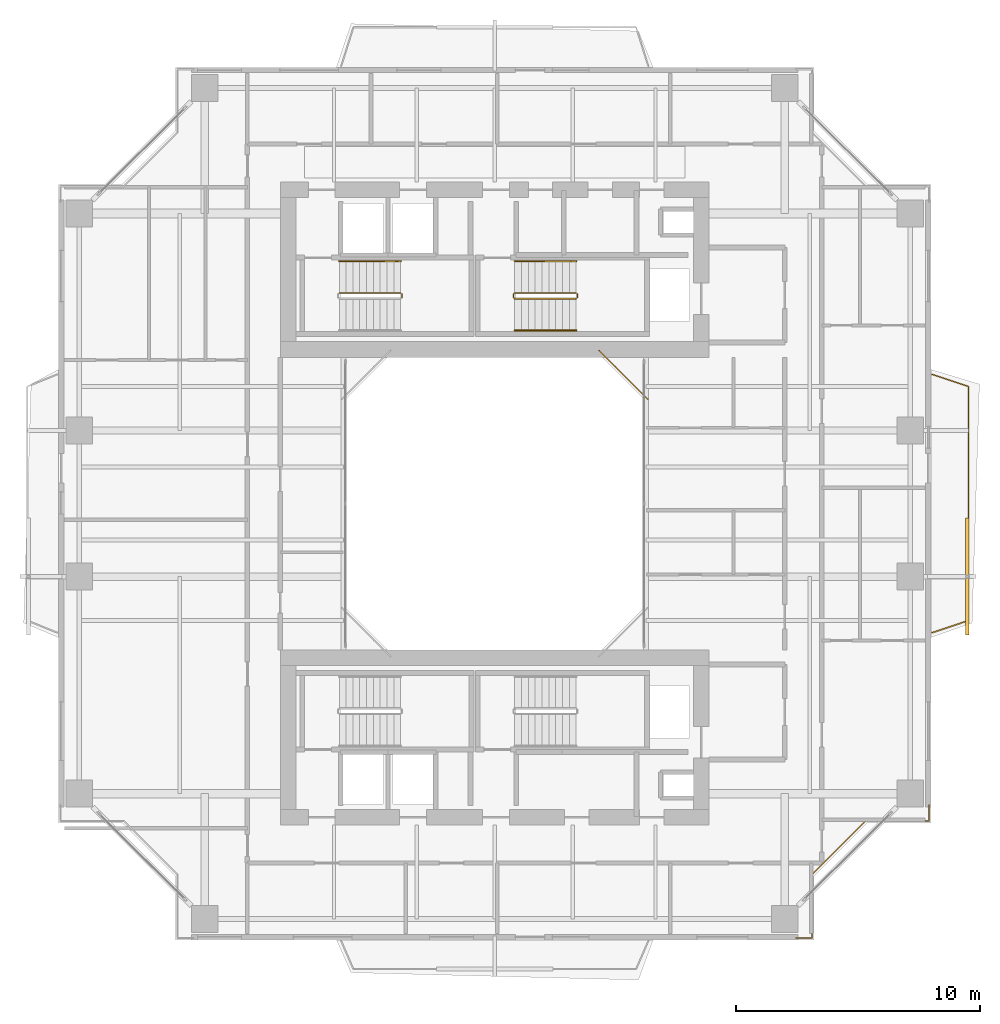
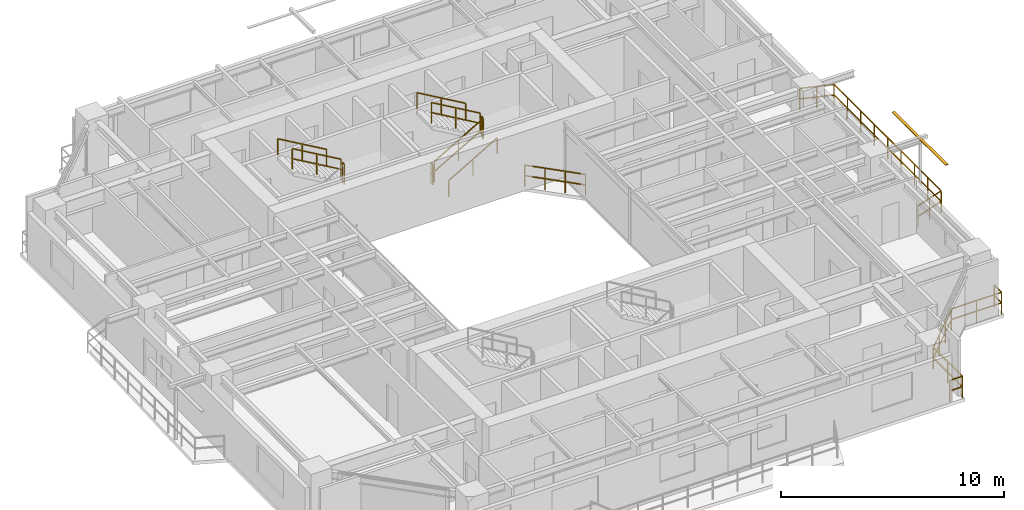
# One storey, part 16 of 17: 12 railings, 1 shading device.
"""IFC4 building model written with IfcOpenShell, lengths in metres."""

from ifc_helpers import new_model, si_unit, direction, frame, origin, origin_2d, place, context, subcontext, project, spatial, rectangle, extrude, source, transform, mapped, material, material_profile, profile_set, type_object, element, save


model = new_model("IFC4")

# Units and contexts
model_context = context("Model", 3, precision=1e-05, world=origin(), true_north=direction((0.0, 1.0)))
body_context = subcontext(model_context, "Body", "Model", "MODEL_VIEW")
ifc_project = project(units=[si_unit("LENGTHUNIT", "METRE"), si_unit("AREAUNIT", "SQUARE_METRE"), si_unit("VOLUMEUNIT", "CUBIC_METRE"), si_unit("PLANEANGLEUNIT", "RADIAN"), si_unit("MASSUNIT", "GRAM", prefix="KILO"), si_unit("THERMODYNAMICTEMPERATUREUNIT", "KELVIN"), si_unit("POWERUNIT", "WATT")], contexts=[model_context])

# Site, building, storey
site_placement = place(None, origin())
site = spatial("IfcSite", under=ifc_project, at=site_placement, CompositionType="ELEMENT")
building_placement = place(site_placement, origin())
building = spatial("IfcBuilding", under=site, at=building_placement, Name="Qiaomeng Ring Towers", CompositionType="ELEMENT")
storey_placement = place(building_placement, frame((0.0, 0.0, 116.5)))
storey = spatial("IfcBuildingStorey", under=building, at=storey_placement, Name="L33", CompositionType="ELEMENT", Elevation=116.5)

# Railings
ifc_material_1 = material(Name="Low-E pale-green laminated safety glass", Category="glass")
railing_type_1 = type_object("IfcRailingType", Name="ARC-RL-BAL1", PredefinedType="BALUSTRADE", material=ifc_material_1)
railing_1_placement = place(storey_placement, frame((25.280029296875, 27.280029296875, 0.0)))
element("IfcRailing", 1, at=railing_1_placement, inside=storey, type_object=railing_type_1, Name="L33 Balustrade ARC-BAL-WELL1-L33-2", PredefinedType="BALUSTRADE", context=body_context, shape_type="SweptSolid", body=[
    extrude(rectangle(XDim=0.048095703125, YDim=0.048095703125, at=origin_2d()), frame((0.0, 0.0, 1.17578125), z_axis=(-0.707106781187, 0.707106781187, 0.0), x_axis=(-0.707106781187, -0.707106781187, 0.0)), (0.0, 0.0, 1.0), 2.828369140625),
    extrude(rectangle(XDim=0.048095703125, YDim=0.048095703125, at=origin_2d()), frame((0.0, 0.0, 0.60009765625), z_axis=(-0.707106781187, 0.707106781187, 0.0), x_axis=(-0.707106781187, -0.707106781187, 0.0)), (0.0, 0.0, 1.0), 2.828369140625),
    extrude(rectangle(XDim=0.0419921875, YDim=0.0419921875, at=origin_2d()), origin(), (0.0, 0.0, 1.0), 1.15185546875),
    extrude(rectangle(XDim=0.0419921875, YDim=0.0419921875, at=origin_2d()), frame((-0.666748046875, 0.666748046875, 0.0)), (0.0, 0.0, 1.0), 1.15185546875),
    extrude(rectangle(XDim=0.0419921875, YDim=0.0419921875, at=origin_2d()), frame((-1.333251953125, 1.333251953125, 0.0)), (0.0, 0.0, 1.0), 1.15185546875),
    extrude(rectangle(XDim=0.0419921875, YDim=0.0419921875, at=origin_2d()), frame((-2.0, 2.0, 0.0)), (0.0, 0.0, 1.0), 1.15185546875),
])
railing_2_placement = place(storey_placement, frame((31.3701171875, 5.179931640625, 0.0)))
element("IfcRailing", 2, at=railing_2_placement, inside=storey, type_object=railing_type_1, Name="L33 Balustrade ARC-BAL-NOTCH1-L33-SE", PredefinedType="BALUSTRADE", context=body_context, shape_type="SweptSolid", body=[
    extrude(rectangle(XDim=0.048095703125, YDim=0.048095703125, at=origin_2d()), frame((0.0, 0.0, 1.17578125), z_axis=(1.0, 0.0, 0.0), x_axis=(0.0, 1.0, 0.0)), (0.0, 0.0, 1.0), 0.64990234375),
    extrude(rectangle(XDim=0.048095703125, YDim=0.048095703125, at=origin_2d()), frame((0.0, 0.0, 0.60009765625), z_axis=(1.0, 0.0, 0.0), x_axis=(0.0, 1.0, 0.0)), (0.0, 0.0, 1.0), 0.64990234375),
    extrude(rectangle(XDim=0.048095703125, YDim=0.048095703125, at=origin_2d()), frame((0.64990234375, 0.0, 1.17578125), z_axis=(0.0, 1.0, 0.0), x_axis=(-1.0, 0.0, 0.0)), (0.0, 0.0, 1.0), 2.60009765625),
    extrude(rectangle(XDim=0.048095703125, YDim=0.048095703125, at=origin_2d()), frame((0.64990234375, 0.0, 0.60009765625), z_axis=(0.0, 1.0, 0.0), x_axis=(-1.0, 0.0, 0.0)), (0.0, 0.0, 1.0), 2.60009765625),
    extrude(rectangle(XDim=0.048095703125, YDim=0.048095703125, at=origin_2d()), frame((0.64990234375, 2.60009765625, 1.17578125), z_axis=(0.707106781187, 0.707106781187, 0.0), x_axis=(-0.707106781187, 0.707106781187, 0.0)), (0.0, 0.0, 1.0), 3.111083984375),
    extrude(rectangle(XDim=0.048095703125, YDim=0.048095703125, at=origin_2d()), frame((0.64990234375, 2.60009765625, 0.60009765625), z_axis=(0.707106781187, 0.707106781187, 0.0), x_axis=(-0.707106781187, 0.707106781187, 0.0)), (0.0, 0.0, 1.0), 3.111083984375),
    extrude(rectangle(XDim=0.048095703125, YDim=0.048095703125, at=origin_2d()), frame((2.849853515625, 4.800048828125, 1.17578125), z_axis=(1.0, 0.0, 0.0), x_axis=(0.0, 1.0, 0.0)), (0.0, 0.0, 1.0), 2.60009765625),
    extrude(rectangle(XDim=0.048095703125, YDim=0.048095703125, at=origin_2d()), frame((2.849853515625, 4.800048828125, 0.60009765625), z_axis=(1.0, 0.0, 0.0), x_axis=(0.0, 1.0, 0.0)), (0.0, 0.0, 1.0), 2.60009765625),
    extrude(rectangle(XDim=0.048095703125, YDim=0.048095703125, at=origin_2d()), frame((5.449951171875, 4.800048828125, 1.17578125), z_axis=(0.0, 1.0, 0.0), x_axis=(-1.0, 0.0, 0.0)), (0.0, 0.0, 1.0), 0.64990234375),
    extrude(rectangle(XDim=0.048095703125, YDim=0.048095703125, at=origin_2d()), frame((5.449951171875, 4.800048828125, 0.60009765625), z_axis=(0.0, 1.0, 0.0), x_axis=(-1.0, 0.0, 0.0)), (0.0, 0.0, 1.0), 0.64990234375),
    extrude(rectangle(XDim=0.0419921875, YDim=0.0419921875, at=origin_2d()), origin(), (0.0, 0.0, 1.0), 1.15185546875),
    extrude(rectangle(XDim=0.0419921875, YDim=0.0419921875, at=origin_2d()), frame((0.64990234375, 0.0, 0.0)), (0.0, 0.0, 1.0), 1.15185546875),
    extrude(rectangle(XDim=0.0419921875, YDim=0.0419921875, at=origin_2d()), frame((0.64990234375, 1.300048828125, 0.0)), (0.0, 0.0, 1.0), 1.15185546875),
    extrude(rectangle(XDim=0.0419921875, YDim=0.0419921875, at=origin_2d()), frame((0.64990234375, 2.60009765625, 0.0)), (0.0, 0.0, 1.0), 1.15185546875),
    extrude(rectangle(XDim=0.0419921875, YDim=0.0419921875, at=origin_2d()), frame((1.38330078125, 3.33349609375, 0.0)), (0.0, 0.0, 1.0), 1.15185546875),
    extrude(rectangle(XDim=0.0419921875, YDim=0.0419921875, at=origin_2d()), frame((2.116455078125, 4.066650390625, 0.0)), (0.0, 0.0, 1.0), 1.15185546875),
    extrude(rectangle(XDim=0.0419921875, YDim=0.0419921875, at=origin_2d()), frame((2.849853515625, 4.800048828125, 0.0)), (0.0, 0.0, 1.0), 1.15185546875),
    extrude(rectangle(XDim=0.0419921875, YDim=0.0419921875, at=origin_2d()), frame((4.14990234375, 4.800048828125, 0.0)), (0.0, 0.0, 1.0), 1.15185546875),
    extrude(rectangle(XDim=0.0419921875, YDim=0.0419921875, at=origin_2d()), frame((5.449951171875, 4.800048828125, 0.0)), (0.0, 0.0, 1.0), 1.15185546875),
    extrude(rectangle(XDim=0.0419921875, YDim=0.0419921875, at=origin_2d()), frame((5.449951171875, 5.449951171875, 0.0)), (0.0, 0.0, 1.0), 1.15185546875),
])
railing_3_placement = place(storey_placement, frame((36.949951171875, 17.699951171875, 0.0)))
element("IfcRailing", 3, at=railing_3_placement, inside=storey, type_object=railing_type_1, Name="L33 Balustrade ARC-BAL-L33-T1-E", PredefinedType="BALUSTRADE", context=body_context, shape_type="SweptSolid", body=[
    extrude(rectangle(XDim=0.048095703125, YDim=0.048095703125, at=origin_2d()), frame((0.0, 0.0, 1.17578125), z_axis=(0.948044476945, 0.318137815629, 0.0), x_axis=(-0.318137815629, 0.948044476945, 0.0)), (0.0, 0.0, 1.0), 1.571533203125),
    extrude(rectangle(XDim=0.048095703125, YDim=0.048095703125, at=origin_2d()), frame((0.0, 0.0, 0.60009765625), z_axis=(0.948044476945, 0.318137815629, 0.0), x_axis=(-0.318137815629, 0.948044476945, 0.0)), (0.0, 0.0, 1.0), 1.571533203125),
    extrude(rectangle(XDim=0.048095703125, YDim=0.048095703125, at=origin_2d()), frame((1.489990234375, 0.5, 1.17578125), z_axis=(0.0, 1.0, 0.0), x_axis=(-1.0, 0.0, 0.0)), (0.0, 0.0, 1.0), 9.60009765625),
    extrude(rectangle(XDim=0.048095703125, YDim=0.048095703125, at=origin_2d()), frame((1.489990234375, 0.5, 0.60009765625), z_axis=(0.0, 1.0, 0.0), x_axis=(-1.0, 0.0, 0.0)), (0.0, 0.0, 1.0), 9.60009765625),
    extrude(rectangle(XDim=0.048095703125, YDim=0.048095703125, at=origin_2d()), frame((1.489990234375, 10.10009765625, 1.17578125), z_axis=(-0.948044476945, 0.318137815629, 0.0), x_axis=(-0.318137815629, -0.948044476945, 0.0)), (0.0, 0.0, 1.0), 1.571533203125),
    extrude(rectangle(XDim=0.048095703125, YDim=0.048095703125, at=origin_2d()), frame((1.489990234375, 10.10009765625, 0.60009765625), z_axis=(-0.948044476945, 0.318137815629, 0.0), x_axis=(-0.318137815629, -0.948044476945, 0.0)), (0.0, 0.0, 1.0), 1.571533203125),
    extrude(rectangle(XDim=0.0419921875, YDim=0.0419921875, at=origin_2d()), origin(), (0.0, 0.0, 1.0), 1.15185546875),
    extrude(rectangle(XDim=0.0419921875, YDim=0.0419921875, at=origin_2d()), frame((0.7451171875, 0.25, 0.0)), (0.0, 0.0, 1.0), 1.15185546875),
    extrude(rectangle(XDim=0.0419921875, YDim=0.0419921875, at=origin_2d()), frame((1.489990234375, 0.5, 0.0)), (0.0, 0.0, 1.0), 1.15185546875),
    extrude(rectangle(XDim=0.0419921875, YDim=0.0419921875, at=origin_2d()), frame((1.489990234375, 1.699951171875, 0.0)), (0.0, 0.0, 1.0), 1.15185546875),
    extrude(rectangle(XDim=0.0419921875, YDim=0.0419921875, at=origin_2d()), frame((1.489990234375, 2.89990234375, 0.0)), (0.0, 0.0, 1.0), 1.15185546875),
    extrude(rectangle(XDim=0.0419921875, YDim=0.0419921875, at=origin_2d()), frame((1.489990234375, 4.10009765625, 0.0)), (0.0, 0.0, 1.0), 1.15185546875),
    extrude(rectangle(XDim=0.0419921875, YDim=0.0419921875, at=origin_2d()), frame((1.489990234375, 5.300048828125, 0.0)), (0.0, 0.0, 1.0), 1.15185546875),
    extrude(rectangle(XDim=0.0419921875, YDim=0.0419921875, at=origin_2d()), frame((1.489990234375, 6.5, 0.0)), (0.0, 0.0, 1.0), 1.15185546875),
    extrude(rectangle(XDim=0.0419921875, YDim=0.0419921875, at=origin_2d()), frame((1.489990234375, 7.7001953125, 0.0)), (0.0, 0.0, 1.0), 1.15185546875),
    extrude(rectangle(XDim=0.0419921875, YDim=0.0419921875, at=origin_2d()), frame((1.489990234375, 8.900146484375, 0.0)), (0.0, 0.0, 1.0), 1.15185546875),
    extrude(rectangle(XDim=0.0419921875, YDim=0.0419921875, at=origin_2d()), frame((1.489990234375, 10.10009765625, 0.0)), (0.0, 0.0, 1.0), 1.15185546875),
    extrude(rectangle(XDim=0.0419921875, YDim=0.0419921875, at=origin_2d()), frame((0.7451171875, 10.35009765625, 0.0)), (0.0, 0.0, 1.0), 1.15185546875),
    extrude(rectangle(XDim=0.0419921875, YDim=0.0419921875, at=origin_2d()), frame((0.0, 10.60009765625, 0.0)), (0.0, 0.0, 1.0), 1.15185546875),
])
ifc_material_2 = material(Name="Galvanised steel", Category="steel")
railing_type_2 = type_object("IfcRailingType", Name="ARC-RL-GUARD", PredefinedType="GUARDRAIL", material=ifc_material_2)
railing_4_placement = place(storey_placement, frame((15.18994140625, 31.449951171875, 1.625)))
element("IfcRailing", 4, at=railing_4_placement, inside=storey, type_object=railing_type_2, Name="L33 ST1 stair guard 2", PredefinedType="GUARDRAIL", context=body_context, shape_type="SweptSolid", body=[
    extrude(rectangle(XDim=0.048095703125, YDim=0.048095703125, at=origin_2d()), frame((0.0, 0.0, 1.1259765625), z_axis=(0.0, 1.0, 0.0), x_axis=(-1.0, 0.0, 0.0)), (0.0, 0.0, 1.0), 0.14013671875),
    extrude(rectangle(XDim=0.048095703125, YDim=0.048095703125, at=origin_2d()), frame((0.0, 0.0, 0.574951171875), z_axis=(0.0, 1.0, 0.0), x_axis=(-1.0, 0.0, 0.0)), (0.0, 0.0, 1.0), 0.14013671875),
    extrude(rectangle(XDim=0.0419921875, YDim=0.0419921875, at=origin_2d()), origin(), (0.0, 0.0, 1.0), 1.101806640625),
    extrude(rectangle(XDim=0.0419921875, YDim=0.0419921875, at=origin_2d()), frame((0.0, 0.14013671875, 0.0)), (0.0, 0.0, 1.0), 1.101806640625),
])
railing_5_placement = place(storey_placement, frame((15.139892578125, 31.639892578125, 1.78759765625)))
element("IfcRailing", 5, at=railing_5_placement, inside=storey, type_object=railing_type_2, Name="L33 ST1 stair guard 3", PredefinedType="GUARDRAIL", context=body_context, shape_type="SweptSolid", body=[
    extrude(rectangle(XDim=0.048095703125, YDim=0.048095703125, at=origin_2d()), frame((0.0, 0.0, 1.1259765625), z_axis=(-0.864892226395, 0.0, 0.501957604506), x_axis=(0.0, -1.0, 0.0)), (0.0, 0.0, 1.0), 2.913330078125),
    extrude(rectangle(XDim=0.048095703125, YDim=0.048095703125, at=origin_2d()), frame((0.0, 0.0, 0.574951171875), z_axis=(-0.864892226395, 0.0, 0.501957604506), x_axis=(0.0, -1.0, 0.0)), (0.0, 0.0, 1.0), 2.913330078125),
    extrude(rectangle(XDim=0.0419921875, YDim=0.0419921875, at=origin_2d()), origin(), (0.0, 0.0, 1.0), 1.101806640625),
    extrude(rectangle(XDim=0.0419921875, YDim=0.0419921875, at=origin_2d()), frame((-1.259765625, 0.0, 0.731201171875)), (0.0, 0.0, 1.0), 1.101806640625),
    extrude(rectangle(XDim=0.0419921875, YDim=0.0419921875, at=origin_2d()), frame((-2.519775390625, 0.0, 1.46240234375)), (0.0, 0.0, 1.0), 1.101806640625),
])
railing_6_placement = place(storey_placement, frame((19.820068359375, 31.39990234375, 0.16259765625)))
element("IfcRailing", 6, at=railing_6_placement, inside=storey, type_object=railing_type_2, Name="L33 ST2 stair guard 1", PredefinedType="GUARDRAIL", context=body_context, shape_type="SweptSolid", body=[
    extrude(rectangle(XDim=0.048095703125, YDim=0.048095703125, at=origin_2d()), frame((0.0, 0.0, 1.1259765625), z_axis=(0.864913338283, 0.0, 0.50192122615), x_axis=(0.0, 1.0, 0.0)), (0.0, 0.0, 1.0), 2.91357421875),
    extrude(rectangle(XDim=0.048095703125, YDim=0.048095703125, at=origin_2d()), frame((0.0, 0.0, 0.574951171875), z_axis=(0.864913338283, 0.0, 0.50192122615), x_axis=(0.0, 1.0, 0.0)), (0.0, 0.0, 1.0), 2.91357421875),
    extrude(rectangle(XDim=0.0419921875, YDim=0.0419921875, at=origin_2d()), origin(), (0.0, 0.0, 1.0), 1.101806640625),
    extrude(rectangle(XDim=0.0419921875, YDim=0.0419921875, at=origin_2d()), frame((1.260009765625, 0.0, 0.731201171875)), (0.0, 0.0, 1.0), 1.101806640625),
    extrude(rectangle(XDim=0.0419921875, YDim=0.0419921875, at=origin_2d()), frame((2.52001953125, 0.0, 1.46240234375)), (0.0, 0.0, 1.0), 1.101806640625),
])
railing_7_placement = place(storey_placement, frame((22.389892578125, 31.449951171875, 1.625)))
element("IfcRailing", 7, at=railing_7_placement, inside=storey, type_object=railing_type_2, Name="L33 ST2 stair guard 2", PredefinedType="GUARDRAIL", context=body_context, shape_type="SweptSolid", body=[
    extrude(rectangle(XDim=0.048095703125, YDim=0.048095703125, at=origin_2d()), frame((0.0, 0.0, 1.1259765625), z_axis=(0.0, 1.0, 0.0), x_axis=(-1.0, 0.0, 0.0)), (0.0, 0.0, 1.0), 0.14013671875),
    extrude(rectangle(XDim=0.048095703125, YDim=0.048095703125, at=origin_2d()), frame((0.0, 0.0, 0.574951171875), z_axis=(0.0, 1.0, 0.0), x_axis=(-1.0, 0.0, 0.0)), (0.0, 0.0, 1.0), 0.14013671875),
    extrude(rectangle(XDim=0.0419921875, YDim=0.0419921875, at=origin_2d()), origin(), (0.0, 0.0, 1.0), 1.101806640625),
    extrude(rectangle(XDim=0.0419921875, YDim=0.0419921875, at=origin_2d()), frame((0.0, 0.14013671875, 0.0)), (0.0, 0.0, 1.0), 1.101806640625),
])
railing_8_placement = place(storey_placement, frame((22.340087890625, 31.639892578125, 1.78759765625)))
element("IfcRailing", 8, at=railing_8_placement, inside=storey, type_object=railing_type_2, Name="L33 ST2 stair guard 3", PredefinedType="GUARDRAIL", context=body_context, shape_type="SweptSolid", body=[
    extrude(rectangle(XDim=0.048095703125, YDim=0.048095703125, at=origin_2d()), frame((0.0, 0.0, 1.1259765625), z_axis=(-0.864913338283, 0.0, 0.50192122615), x_axis=(0.0, -1.0, 0.0)), (0.0, 0.0, 1.0), 2.91357421875),
    extrude(rectangle(XDim=0.048095703125, YDim=0.048095703125, at=origin_2d()), frame((0.0, 0.0, 0.574951171875), z_axis=(-0.864913338283, 0.0, 0.50192122615), x_axis=(0.0, -1.0, 0.0)), (0.0, 0.0, 1.0), 2.91357421875),
    extrude(rectangle(XDim=0.0419921875, YDim=0.0419921875, at=origin_2d()), origin(), (0.0, 0.0, 1.0), 1.101806640625),
    extrude(rectangle(XDim=0.0419921875, YDim=0.0419921875, at=origin_2d()), frame((-1.260009765625, 0.0, 0.731201171875)), (0.0, 0.0, 1.0), 1.101806640625),
    extrude(rectangle(XDim=0.0419921875, YDim=0.0419921875, at=origin_2d()), frame((-2.52001953125, 0.0, 1.46240234375)), (0.0, 0.0, 1.0), 1.101806640625),
])
railing_9_placement = place(storey_placement, frame((19.77001953125, 31.449951171875, 0.0)))
element("IfcRailing", 9, at=railing_9_placement, inside=storey, type_object=railing_type_2, Name="L33 ST2 stair guard 4", PredefinedType="GUARDRAIL", context=body_context, shape_type="SweptSolid", body=[
    extrude(rectangle(XDim=0.048095703125, YDim=0.048095703125, at=origin_2d()), frame((0.0, 0.0, 1.1259765625), z_axis=(0.0, 1.0, 0.0), x_axis=(-1.0, 0.0, 0.0)), (0.0, 0.0, 1.0), 0.14013671875),
    extrude(rectangle(XDim=0.048095703125, YDim=0.048095703125, at=origin_2d()), frame((0.0, 0.0, 0.574951171875), z_axis=(0.0, 1.0, 0.0), x_axis=(-1.0, 0.0, 0.0)), (0.0, 0.0, 1.0), 0.14013671875),
    extrude(rectangle(XDim=0.0419921875, YDim=0.0419921875, at=origin_2d()), origin(), (0.0, 0.0, 1.0), 1.101806640625),
    extrude(rectangle(XDim=0.0419921875, YDim=0.0419921875, at=origin_2d()), frame((0.0, 0.14013671875, 0.0)), (0.0, 0.0, 1.0), 1.101806640625),
])
ifc_material_3 = material(Name="Stainless steel 316", Category="steel")
railing_type_3 = type_object("IfcRailingType", Name="ARC-RL-HAND", PredefinedType="HANDRAIL", material=ifc_material_3)
railing_10_placement = place(storey_placement, frame((15.139892578125, 32.93994140625, 1.78759765625)))
element("IfcRailing", 10, at=railing_10_placement, inside=storey, type_object=railing_type_3, Name="L33 ST1 stair handrail 2", PredefinedType="HANDRAIL", context=body_context, shape_type="SweptSolid", body=[
    extrude(rectangle(XDim=0.048095703125, YDim=0.048095703125, at=origin_2d()), frame((0.0, 0.0, 0.8759765625), z_axis=(-0.864892226395, 0.0, 0.501957604506), x_axis=(0.0, -1.0, 0.0)), (0.0, 0.0, 1.0), 2.913330078125),
    extrude(rectangle(XDim=0.0419921875, YDim=0.0419921875, at=origin_2d()), origin(), (0.0, 0.0, 1.0), 0.851806640625),
    extrude(rectangle(XDim=0.0419921875, YDim=0.0419921875, at=origin_2d()), frame((-1.259765625, 0.0, 0.731201171875)), (0.0, 0.0, 1.0), 0.851806640625),
    extrude(rectangle(XDim=0.0419921875, YDim=0.0419921875, at=origin_2d()), frame((-2.519775390625, 0.0, 1.46240234375)), (0.0, 0.0, 1.0), 0.851806640625),
])
railing_11_placement = place(storey_placement, frame((19.820068359375, 30.10009765625, 0.16259765625)))
element("IfcRailing", 11, at=railing_11_placement, inside=storey, type_object=railing_type_3, Name="L33 ST2 stair handrail 1", PredefinedType="HANDRAIL", context=body_context, shape_type="SweptSolid", body=[
    extrude(rectangle(XDim=0.048095703125, YDim=0.048095703125, at=origin_2d()), frame((0.0, 0.0, 0.8759765625), z_axis=(0.864913338283, 0.0, 0.50192122615), x_axis=(0.0, 1.0, 0.0)), (0.0, 0.0, 1.0), 2.91357421875),
    extrude(rectangle(XDim=0.0419921875, YDim=0.0419921875, at=origin_2d()), origin(), (0.0, 0.0, 1.0), 0.851806640625),
    extrude(rectangle(XDim=0.0419921875, YDim=0.0419921875, at=origin_2d()), frame((1.260009765625, 0.0, 0.731201171875)), (0.0, 0.0, 1.0), 0.851806640625),
    extrude(rectangle(XDim=0.0419921875, YDim=0.0419921875, at=origin_2d()), frame((2.52001953125, 0.0, 1.46240234375)), (0.0, 0.0, 1.0), 0.851806640625),
])
railing_12_placement = place(storey_placement, frame((22.340087890625, 32.93994140625, 1.78759765625)))
element("IfcRailing", 12, at=railing_12_placement, inside=storey, type_object=railing_type_3, Name="L33 ST2 stair handrail 2", PredefinedType="HANDRAIL", context=body_context, shape_type="SweptSolid", body=[
    extrude(rectangle(XDim=0.048095703125, YDim=0.048095703125, at=origin_2d()), frame((0.0, 0.0, 0.8759765625), z_axis=(-0.864913338283, 0.0, 0.50192122615), x_axis=(0.0, -1.0, 0.0)), (0.0, 0.0, 1.0), 2.91357421875),
    extrude(rectangle(XDim=0.0419921875, YDim=0.0419921875, at=origin_2d()), origin(), (0.0, 0.0, 1.0), 0.851806640625),
    extrude(rectangle(XDim=0.0419921875, YDim=0.0419921875, at=origin_2d()), frame((-1.260009765625, 0.0, 0.731201171875)), (0.0, 0.0, 1.0), 0.851806640625),
    extrude(rectangle(XDim=0.0419921875, YDim=0.0419921875, at=origin_2d()), frame((-2.52001953125, 0.0, 1.46240234375)), (0.0, 0.0, 1.0), 0.851806640625),
])

# Shading device
ifc_material_4 = material(Name="Fluorocarbon dark-grey aluminium", Category="aluminium")
ifc_material_profile = material_profile(ifc_material_4, rectangle(XDim=0.14990234375, YDim=0.034912109375, at=origin_2d()), Name="LV BLADE 150x35")
ifc_profile_set = profile_set([ifc_material_profile], Name="Fluorocarbon dark-grey aluminium")
shading_device_type = type_object("IfcShadingDeviceType", Name="ARC-SHD-SUN", PredefinedType="AWNING", material=ifc_profile_set)
shared_shape = source(origin(), body_context, "Body", "SweptSolid", [
    extrude(rectangle(XDim=0.14990234375, YDim=0.034912109375, at=origin_2d()), origin(), (0.0, 0.0, 1.0), 4.7998046875),
])
shading_device_placement = place(storey_placement, frame((38.389892578125, 17.60009765625, 2.969970703125), z_axis=(0.0, 1.0, 0.0), x_axis=(-1.0, 0.0, 0.0)))
element("IfcShadingDevice", 13, at=shading_device_placement, inside=storey, type_object=shading_device_type, Name="L33 Ventilated Outer-Skin Sunshade E", PredefinedType="AWNING", context=body_context, shape_type="MappedRepresentation", body=[
    mapped(shared_shape, transform((0.0, 0.0, 0.0), x_axis=(1.0, 0.0, 0.0), y_axis=(0.0, 1.0, 0.0), z_axis=(0.0, 0.0, 1.0), scale=1.0)),
])

save(model, "model.ifc")
